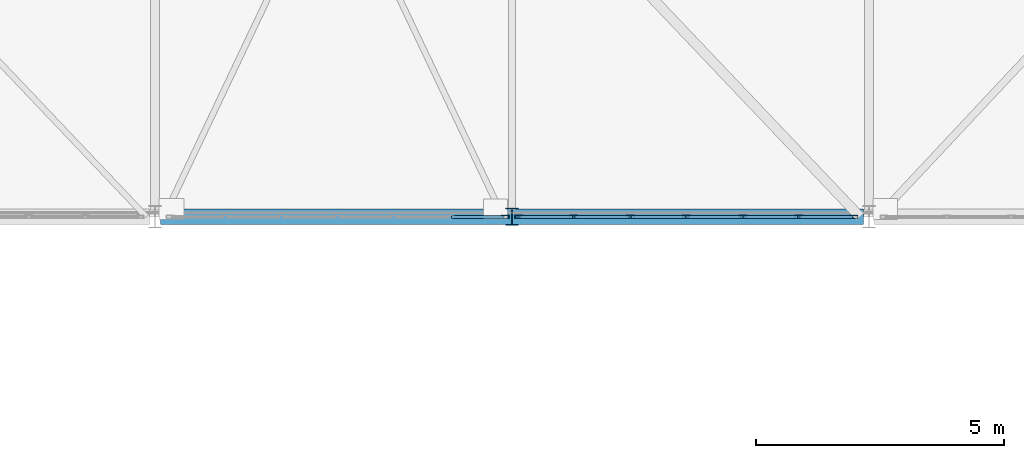
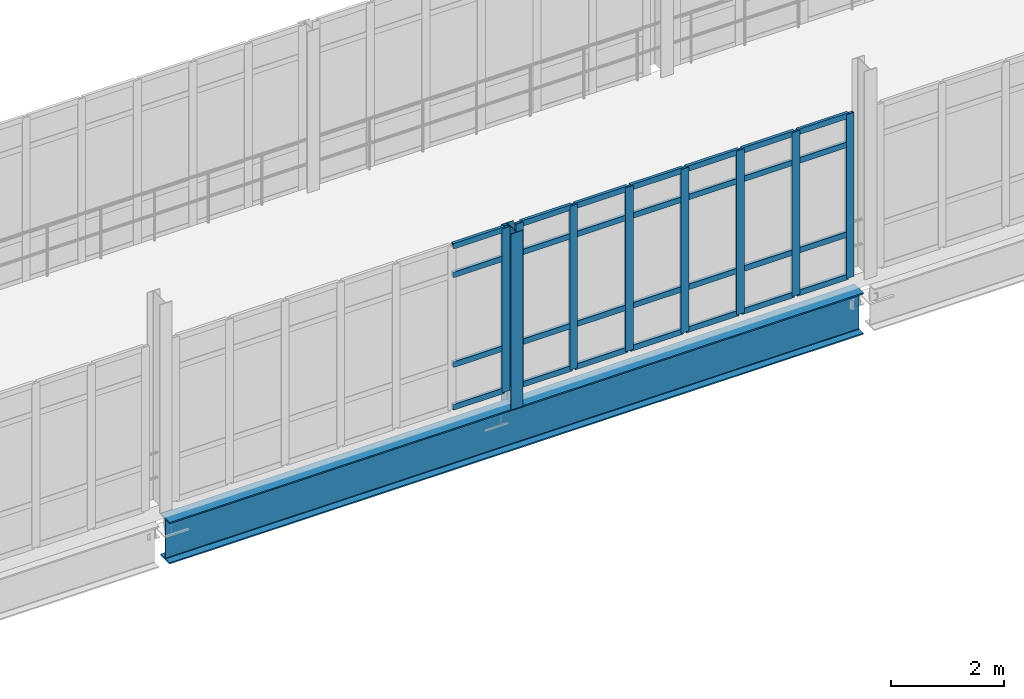
# One storey, part 42 of 124: 37 members, 1 beam, 2 elements without a shape of their own.
"""IFC4 building model written with IfcOpenShell, lengths in metres."""

import ifcopenshell
import ifcopenshell.guid

model = None  # the IFC model being written
_history = None  # IfcOwnerHistory: only IFC2X3 demands one
_inside = {}  # id of a spatial element -> (the spatial element, [elements in it])
_under = {}  # id of a project, library or spatial element -> (it, [spatial elements below it])
_declared = {}  # id of a project -> (the project, [libraries it declares])
_typed = {}  # id of a type object -> (the type object, [elements of that type])
_made_of = {}  # id of a material, layer set ... -> (it, [elements and type objects made of it])


def new_model(schema):
    """Start an empty IFC model of exactly this schema.

    Asked for "IFC4X3", IfcOpenShell would pick the latest addendum, in which some entities
    have other attributes; the version numbers below select the first issue.
    IFC2X3 requires an IfcOwnerHistory on every rooted entity: one is made here for all.
    """
    global model, _history
    if schema == "IFC4X3":
        model = ifcopenshell.file(schema_version=(4, 3, 0, 0))
    else:
        model = ifcopenshell.file(schema=schema)
    _inside.clear()
    _under.clear()
    _declared.clear()
    _typed.clear()
    _made_of.clear()
    _history = None
    if model.schema == "IFC2X3":
        org = make("IfcOrganization", Name="unknown")
        user = make(
            "IfcPersonAndOrganization",
            ThePerson=make("IfcPerson", FamilyName="unknown"),
            TheOrganization=org,
        )
        app = make(
            "IfcApplication",
            ApplicationDeveloper=org,
            Version="unknown",
            ApplicationFullName="unknown",
            ApplicationIdentifier="unknown",
        )
        _history = make(
            "IfcOwnerHistory",
            OwningUser=user,
            OwningApplication=app,
            ChangeAction="ADDED",
            CreationDate=0,
        )
    return model


def make(cls, **values):
    """One entity of the class cls with the attributes given. An attribute that is None is left unset."""
    return model.create_entity(
        cls, **{name: value for name, value in values.items() if value is not None}
    )


def rooted(cls, **values):
    """An entity with a GlobalId (a new one), such as an element, a storey or a relation."""
    return make(cls, GlobalId=ifcopenshell.guid.new(), OwnerHistory=_history, **values)


def si_unit(unit_type, name, prefix=None):
    """IfcSIUnit, for example si_unit("LENGTHUNIT", "METRE", prefix="MILLI")."""
    return make("IfcSIUnit", UnitType=unit_type, Prefix=prefix, Name=name)


def assignment(units):
    """IfcUnitAssignment: the units of a project."""
    return None if units is None else make("IfcUnitAssignment", Units=units)


def point(xyz):
    """IfcCartesianPoint."""
    return None if xyz is None else make("IfcCartesianPoint", Coordinates=xyz)


def direction(xyz):
    """IfcDirection."""
    return None if xyz is None else make("IfcDirection", DirectionRatios=xyz)


def frame(location, z_axis=None, x_axis=None):
    """IfcAxis2Placement3D, a coordinate frame: its origin and axes. An axis left out is left unset."""
    return make(
        "IfcAxis2Placement3D",
        Location=point(location),
        Axis=direction(z_axis),
        RefDirection=direction(x_axis),
    )


def frame_2d(location, x_axis=None):
    """IfcAxis2Placement2D, a coordinate frame in the plane: its origin and x axis."""
    return make(
        "IfcAxis2Placement2D", Location=point(location), RefDirection=direction(x_axis)
    )


def origin():
    """The frame at (0, 0, 0) with its axes left unset."""
    return frame((0.0, 0.0, 0.0))


def origin_2d():
    """The frame at (0, 0) in the plane with its x axis left unset."""
    return frame_2d((0.0, 0.0))


def place(relative_to, where):
    """IfcLocalPlacement: puts the frame where relative to a parent placement (None: the world)."""
    return make(
        "IfcLocalPlacement", PlacementRelTo=relative_to, RelativePlacement=where
    )


def context(
    kind, dimensions, precision=None, world=None, true_north=None, identifier=None
):
    """IfcGeometricRepresentationContext, for example the 3D "Model" context."""
    return make(
        "IfcGeometricRepresentationContext",
        ContextIdentifier=identifier,
        ContextType=kind,
        CoordinateSpaceDimension=dimensions,
        Precision=precision,
        WorldCoordinateSystem=world,
        TrueNorth=true_north,
    )


def subcontext(parent, identifier, kind, view, scale=None):
    """IfcGeometricRepresentationSubContext, for example "Body" below "Model"."""
    return make(
        "IfcGeometricRepresentationSubContext",
        ContextIdentifier=identifier,
        ContextType=kind,
        ParentContext=parent,
        TargetScale=scale,
        TargetView=view,
    )


def project(units=None, contexts=None):
    """IfcProject with its units and contexts."""
    return rooted(
        "IfcProject",
        Name="project",
        RepresentationContexts=contexts,
        UnitsInContext=assignment(units),
    )


def spatial(cls, under=None, at=None, **own):
    """A site, building, storey or space (cls), placed at a placement, below another one or the project."""
    s = rooted(cls, ObjectPlacement=at, **own)
    if under is not None:
        _under.setdefault(under.id(), (under, []))[1].append(s)
    return s


def profile(cls, at=None, kind="AREA", **sizes):
    """A parametric profile (cls). Its sizes go by their IFC names, for example OverallWidth=200.0."""
    return make(cls, ProfileType=kind, Position=at, **sizes)


def hollow_rectangle(**sizes):
    """IfcRectangleHollowProfileDef."""
    return profile("IfcRectangleHollowProfileDef", **sizes)


def i_section(**sizes):
    """IfcIShapeProfileDef."""
    return profile("IfcIShapeProfileDef", **sizes)


def extrude(swept, where, along, depth):
    """IfcExtrudedAreaSolid: the profile swept, set in the frame where, extruded along a direction by depth."""
    return make(
        "IfcExtrudedAreaSolid",
        SweptArea=swept,
        Position=where,
        ExtrudedDirection=direction(along),
        Depth=depth,
    )


def shape(context_of_items, identifier, shape_type, items):
    """IfcShapeRepresentation: the items that make up one representation, for example the "Body"."""
    return make(
        "IfcShapeRepresentation",
        ContextOfItems=context_of_items,
        RepresentationIdentifier=identifier,
        RepresentationType=shape_type,
        Items=items,
    )


def material(Name=None, Category=None):
    """IfcMaterial."""
    return make("IfcMaterial", Name=Name, Category=Category)


def material_profile(
    of_material, cross_section, Name=None, Category=None, Priority=None
):
    """IfcMaterialProfile: a cross section and its material."""
    return make(
        "IfcMaterialProfile",
        Name=Name,
        Material=of_material,
        Profile=cross_section,
        Priority=Priority,
        Category=Category,
    )


def profile_set(profiles, Name=None, composite=None):
    """IfcMaterialProfileSet."""
    return make(
        "IfcMaterialProfileSet",
        Name=Name,
        MaterialProfiles=profiles,
        CompositeProfile=composite,
    )


def made_of(thing, what):
    """Note that an element or type object is made of a material, layer set ...; save() writes the relation."""
    if what is not None:
        _made_of.setdefault(what.id(), (what, []))[1].append(thing)
    return thing


def type_object(cls, material=None, **own):
    """A type object (cls), such as IfcWallType, which elements share."""
    return made_of(rooted(cls, **own), material)


def element(
    cls,
    number,
    at=None,
    inside=None,
    cuts=None,
    type_object=None,
    material=None,
    context=None,
    identifier="Body",
    shape_type=None,
    held_by="IfcProductDefinitionShape",
    body=None,
    shapes=None,
    **own,
):
    """One element of the class cls, such as IfcWall. Its Tag is "e" and its number.

    at: its placement. inside: the storey or other place that contains it. cuts: it is an
    opening in that element (IfcRelVoidsElement). A single representation is given by context,
    identifier, shape_type and body (its items); several are given by shapes. held_by: the class
    of the entity that holds the representations. save() writes the other relations.
    """
    e = rooted(cls, Tag="e%d" % number, ObjectPlacement=at, **own)
    if body is not None:
        shapes = [shape(context, identifier, shape_type, body)]
    if shapes is not None:
        e.Representation = make(held_by, Representations=shapes)
    if inside is not None:
        _inside.setdefault(inside.id(), (inside, []))[1].append(e)
    if cuts is not None:
        rooted(
            "IfcRelVoidsElement", RelatingBuildingElement=cuts, RelatedOpeningElement=e
        )
    if type_object is not None:
        _typed.setdefault(type_object.id(), (type_object, []))[1].append(e)
    return made_of(e, material)


def aggregate(whole, parts):
    """IfcRelAggregates: a whole, such as a stair, and the parts it consists of."""
    return rooted("IfcRelAggregates", RelatingObject=whole, RelatedObjects=parts)


def save(model, path):
    """Write the relations noted so far, then the file.

    IfcRelAggregates (storeys below a building ...), IfcRelContainedInSpatialStructure (elements
    in a storey), IfcRelDefinesByType, IfcRelAssociatesMaterial and IfcRelDeclares: one each for
    every whole, place, type object, material and project.
    """
    for whole, parts in _under.values():
        aggregate(whole, parts)
    for where, things in _inside.values():
        rooted(
            "IfcRelContainedInSpatialStructure",
            RelatedElements=things,
            RelatingStructure=where,
        )
    for kind, things in _typed.values():
        rooted("IfcRelDefinesByType", RelatedObjects=things, RelatingType=kind)
    for what, things in _made_of.values():
        rooted("IfcRelAssociatesMaterial", RelatedObjects=things, RelatingMaterial=what)
    for by, libraries in _declared.values():
        rooted("IfcRelDeclares", RelatingContext=by, RelatedDefinitions=libraries)
    model.write(path)


model = new_model("IFC4")

# Units and contexts
model_context = context("Model", 3, precision=1e-05, world=origin(), true_north=direction((0.0, 1.0)))
body_context = subcontext(model_context, "Body", "Model", "MODEL_VIEW")
ifc_project = project(units=[si_unit("LENGTHUNIT", "METRE"), si_unit("AREAUNIT", "SQUARE_METRE"), si_unit("VOLUMEUNIT", "CUBIC_METRE"), si_unit("PLANEANGLEUNIT", "RADIAN"), si_unit("MASSUNIT", "GRAM", prefix="KILO")], contexts=[model_context])

# Site, building, storey
site_placement = place(None, origin())
site = spatial("IfcSite", under=ifc_project, at=site_placement, CompositionType="ELEMENT")
building_placement = place(site_placement, origin())
building = spatial("IfcBuilding", under=site, at=building_placement, Name="Kalluvel Institute of Natural Sciences", CompositionType="ELEMENT")
storey_placement = place(building_placement, frame((0.0, 0.0, 9.89990234375)))
storey = spatial("IfcBuildingStorey", under=building, at=storey_placement, Name="L02", CompositionType="ELEMENT", Elevation=9.89990234375)

# Beam
ifc_material_1 = material(Name="Steel E350 Grade 350", Category="steel")
ifc_material_profile_1 = material_profile(ifc_material_1, i_section(OverallWidth=0.320068359375, OverallDepth=0.89990234375, WebThickness=0.01611328125, FlangeThickness=0.028076171875, FilletRadius=0.01806640625, at=origin_2d()), Name="WPG 900x320")
ifc_profile_set_1 = profile_set([ifc_material_profile_1], Name="Steel E350 Grade 350")
beam_type = type_object("IfcBeamType", Name="BM-WPG900", PredefinedType="BEAM", material=ifc_profile_set_1)
beam_placement = place(storey_placement, frame((78.909912109375, 28.39990234375, -0.77001953125), z_axis=(1.0, 0.0, 0.0), x_axis=(0.0, 1.0, 0.0)))
element("IfcBeam", 1, at=beam_placement, inside=storey, type_object=beam_type, Name="L02 link bridge main plate-girder chord 4", PredefinedType="BEAM", context=body_context, shape_type="SweptSolid", body=[
    extrude(i_section(OverallWidth=0.320068359375, OverallDepth=0.89990234375, WebThickness=0.01611328125, FlangeThickness=0.028076171875, FilletRadius=0.01806640625, at=origin_2d()), origin(), (0.0, 0.0, 1.0), 14.18017578125),
])

# Curtain wall, member
ifc_material_2 = material(Name="Aluminium AW-6063 T6", Category="aluminium")
curtain_wall_type = type_object("IfcCurtainWallType", Name="CW-BRG-45", PredefinedType="USERDEFINED", material=ifc_material_2)
curtain_wall_1_placement = place(storey_placement, origin())
curtain_wall_1 = element("IfcCurtainWall", 2, at=curtain_wall_1_placement, inside=storey, type_object=curtain_wall_type, Name="L02 Gothic lancet curtain wall CWA-L02-X791-Y284", ObjectType="UNITISED LANCET FACADE", PredefinedType="USERDEFINED")
ifc_material_profile_2 = material_profile(ifc_material_2, hollow_rectangle(XDim=0.06005859375, YDim=0.159912109375, WallThickness=0.00390625, at=origin_2d()), Name="CWM 60x160")
ifc_profile_set_2 = profile_set([ifc_material_profile_2], Name="Aluminium AW-6063 T6")
member_type_1 = type_object("IfcMemberType", Name="CWM-60x160", PredefinedType="MULLION", material=ifc_profile_set_2)
member_1_placement = place(storey_placement, frame((85.860107421875, 28.39990234375, 0.0), z_axis=(0.0, 0.0, 1.0), x_axis=(0.0, 1.0, 0.0)))
member_1 = element("IfcMember", 3, at=member_1_placement, type_object=member_type_1, Name="CW-07 mullion 7", PredefinedType="MULLION", context=body_context, shape_type="SweptSolid", body=[
    extrude(hollow_rectangle(XDim=0.06005859375, YDim=0.159912109375, WallThickness=0.00390625, at=origin_2d()), origin(), (0.0, 0.0, 1.0), 3.5400390625),
])

# Curtain wall, members
curtain_wall_2_placement = place(storey_placement, origin())
curtain_wall_2 = element("IfcCurtainWall", 4, at=curtain_wall_2_placement, inside=storey, type_object=curtain_wall_type, Name="L02 Gothic lancet curtain wall CWA-L02-X861-Y284", ObjectType="UNITISED LANCET FACADE", PredefinedType="USERDEFINED")
member_2_placement = place(storey_placement, frame((86.139892578125, 28.39990234375, 0.0), z_axis=(0.0, 0.0, 1.0), x_axis=(0.0, 1.0, 0.0)))
member_2 = element("IfcMember", 5, at=member_2_placement, type_object=member_type_1, Name="CW-07 mullion 1", PredefinedType="MULLION", context=body_context, shape_type="SweptSolid", body=[
    extrude(hollow_rectangle(XDim=0.06005859375, YDim=0.159912109375, WallThickness=0.00390625, at=origin_2d()), origin(), (0.0, 0.0, 1.0), 3.5400390625),
])
member_3_placement = place(storey_placement, frame((87.245849609375, 28.39990234375, 0.0), z_axis=(0.0, 0.0, 1.0), x_axis=(0.0, 1.0, 0.0)))
member_3 = element("IfcMember", 6, at=member_3_placement, type_object=member_type_1, Name="CW-07 mullion 2", PredefinedType="MULLION", context=body_context, shape_type="SweptSolid", body=[
    extrude(hollow_rectangle(XDim=0.06005859375, YDim=0.159912109375, WallThickness=0.00390625, at=origin_2d()), origin(), (0.0, 0.0, 1.0), 3.5400390625),
])
member_4_placement = place(storey_placement, frame((88.381591796875, 28.39990234375, 0.0), z_axis=(0.0, 0.0, 1.0), x_axis=(0.0, 1.0, 0.0)))
member_4 = element("IfcMember", 7, at=member_4_placement, type_object=member_type_1, Name="CW-07 mullion 3", PredefinedType="MULLION", context=body_context, shape_type="SweptSolid", body=[
    extrude(hollow_rectangle(XDim=0.06005859375, YDim=0.159912109375, WallThickness=0.00390625, at=origin_2d()), origin(), (0.0, 0.0, 1.0), 3.5400390625),
])
member_5_placement = place(storey_placement, frame((89.517578125, 28.39990234375, 0.0), z_axis=(0.0, 0.0, 1.0), x_axis=(0.0, 1.0, 0.0)))
member_5 = element("IfcMember", 8, at=member_5_placement, type_object=member_type_1, Name="CW-07 mullion 4", PredefinedType="MULLION", context=body_context, shape_type="SweptSolid", body=[
    extrude(hollow_rectangle(XDim=0.06005859375, YDim=0.159912109375, WallThickness=0.00390625, at=origin_2d()), origin(), (0.0, 0.0, 1.0), 3.5400390625),
])
member_6_placement = place(storey_placement, frame((90.6533203125, 28.39990234375, 0.0), z_axis=(0.0, 0.0, 1.0), x_axis=(0.0, 1.0, 0.0)))
member_6 = element("IfcMember", 9, at=member_6_placement, type_object=member_type_1, Name="CW-07 mullion 5", PredefinedType="MULLION", context=body_context, shape_type="SweptSolid", body=[
    extrude(hollow_rectangle(XDim=0.06005859375, YDim=0.159912109375, WallThickness=0.00390625, at=origin_2d()), origin(), (0.0, 0.0, 1.0), 3.5400390625),
])
member_7_placement = place(storey_placement, frame((91.7890625, 28.39990234375, 0.0), z_axis=(0.0, 0.0, 1.0), x_axis=(0.0, 1.0, 0.0)))
member_7 = element("IfcMember", 10, at=member_7_placement, type_object=member_type_1, Name="CW-07 mullion 6", PredefinedType="MULLION", context=body_context, shape_type="SweptSolid", body=[
    extrude(hollow_rectangle(XDim=0.06005859375, YDim=0.159912109375, WallThickness=0.00390625, at=origin_2d()), origin(), (0.0, 0.0, 1.0), 3.5400390625),
])
member_8_placement = place(storey_placement, frame((92.89501953125, 28.39990234375, 0.0), z_axis=(0.0, 0.0, 1.0), x_axis=(0.0, 1.0, 0.0)))
member_8 = element("IfcMember", 11, at=member_8_placement, type_object=member_type_1, Name="CW-07 mullion 7", PredefinedType="MULLION", context=body_context, shape_type="SweptSolid", body=[
    extrude(hollow_rectangle(XDim=0.06005859375, YDim=0.159912109375, WallThickness=0.00390625, at=origin_2d()), origin(), (0.0, 0.0, 1.0), 3.5400390625),
])

# Member
ifc_material_profile_3 = material_profile(ifc_material_2, hollow_rectangle(XDim=0.06005859375, YDim=0.1201171875, WallThickness=0.00390625, at=origin_2d()), Name="CWT 60x120")
ifc_profile_set_3 = profile_set([ifc_material_profile_3], Name="Aluminium AW-6063 T6")
member_type_2 = type_object("IfcMemberType", Name="CWT-60x120", PredefinedType="USERDEFINED", material=ifc_profile_set_3)
member_9_placement = place(storey_placement, frame((84.7841796875, 28.39990234375, 0.030029296875), z_axis=(1.0, 0.0, 0.0), x_axis=(0.0, 1.0, 0.0)))
member_9 = element("IfcMember", 12, at=member_9_placement, type_object=member_type_2, Name="CW-07 transom 6.1", ObjectType="TRANSOM", PredefinedType="USERDEFINED", context=body_context, shape_type="SweptSolid", body=[
    extrude(hollow_rectangle(XDim=0.06005859375, YDim=0.1201171875, WallThickness=0.00390625, at=origin_2d()), origin(), (0.0, 0.0, 1.0), 1.0458984375),
])

member_10_placement = place(storey_placement, frame((84.7841796875, 28.39990234375, 0.9501953125), z_axis=(1.0, 0.0, 0.0), x_axis=(0.0, 1.0, 0.0)))
member_10 = element("IfcMember", 13, at=member_10_placement, type_object=member_type_2, Name="CW-07 transom 6.2", ObjectType="TRANSOM", PredefinedType="USERDEFINED", context=body_context, shape_type="SweptSolid", body=[
    extrude(hollow_rectangle(XDim=0.06005859375, YDim=0.1201171875, WallThickness=0.00390625, at=origin_2d()), origin(), (0.0, 0.0, 1.0), 1.0458984375),
])

member_11_placement = place(storey_placement, frame((84.7841796875, 28.39990234375, 2.89013671875), z_axis=(1.0, 0.0, 0.0), x_axis=(0.0, 1.0, 0.0)))
member_11 = element("IfcMember", 14, at=member_11_placement, type_object=member_type_2, Name="CW-07 transom 6.3", ObjectType="TRANSOM", PredefinedType="USERDEFINED", context=body_context, shape_type="SweptSolid", body=[
    extrude(hollow_rectangle(XDim=0.06005859375, YDim=0.1201171875, WallThickness=0.00390625, at=origin_2d()), origin(), (0.0, 0.0, 1.0), 1.0458984375),
])

member_12_placement = place(storey_placement, frame((84.7841796875, 28.39990234375, 3.510009765625), z_axis=(1.0, 0.0, 0.0), x_axis=(0.0, 1.0, 0.0)))
member_12 = element("IfcMember", 15, at=member_12_placement, type_object=member_type_2, Name="CW-07 transom 6.4", ObjectType="TRANSOM", PredefinedType="USERDEFINED", context=body_context, shape_type="SweptSolid", body=[
    extrude(hollow_rectangle(XDim=0.06005859375, YDim=0.1201171875, WallThickness=0.00390625, at=origin_2d()), origin(), (0.0, 0.0, 1.0), 1.0458984375),
])

aggregate(curtain_wall_1, [member_1, member_9, member_10, member_11, member_12])

member_13_placement = place(storey_placement, frame((86.169921875, 28.39990234375, 0.030029296875), z_axis=(1.0, 0.0, 0.0), x_axis=(0.0, 1.0, 0.0)))
member_13 = element("IfcMember", 16, at=member_13_placement, type_object=member_type_2, Name="CW-07 transom 1.1", ObjectType="TRANSOM", PredefinedType="USERDEFINED", context=body_context, shape_type="SweptSolid", body=[
    extrude(hollow_rectangle(XDim=0.06005859375, YDim=0.1201171875, WallThickness=0.00390625, at=origin_2d()), origin(), (0.0, 0.0, 1.0), 1.0458984375),
])

member_14_placement = place(storey_placement, frame((86.169921875, 28.39990234375, 0.9501953125), z_axis=(1.0, 0.0, 0.0), x_axis=(0.0, 1.0, 0.0)))
member_14 = element("IfcMember", 17, at=member_14_placement, type_object=member_type_2, Name="CW-07 transom 1.2", ObjectType="TRANSOM", PredefinedType="USERDEFINED", context=body_context, shape_type="SweptSolid", body=[
    extrude(hollow_rectangle(XDim=0.06005859375, YDim=0.1201171875, WallThickness=0.00390625, at=origin_2d()), origin(), (0.0, 0.0, 1.0), 1.0458984375),
])

member_15_placement = place(storey_placement, frame((86.169921875, 28.39990234375, 2.89013671875), z_axis=(1.0, 0.0, 0.0), x_axis=(0.0, 1.0, 0.0)))
member_15 = element("IfcMember", 18, at=member_15_placement, type_object=member_type_2, Name="CW-07 transom 1.3", ObjectType="TRANSOM", PredefinedType="USERDEFINED", context=body_context, shape_type="SweptSolid", body=[
    extrude(hollow_rectangle(XDim=0.06005859375, YDim=0.1201171875, WallThickness=0.00390625, at=origin_2d()), origin(), (0.0, 0.0, 1.0), 1.0458984375),
])

member_16_placement = place(storey_placement, frame((86.169921875, 28.39990234375, 3.510009765625), z_axis=(1.0, 0.0, 0.0), x_axis=(0.0, 1.0, 0.0)))
member_16 = element("IfcMember", 19, at=member_16_placement, type_object=member_type_2, Name="CW-07 transom 1.4", ObjectType="TRANSOM", PredefinedType="USERDEFINED", context=body_context, shape_type="SweptSolid", body=[
    extrude(hollow_rectangle(XDim=0.06005859375, YDim=0.1201171875, WallThickness=0.00390625, at=origin_2d()), origin(), (0.0, 0.0, 1.0), 1.0458984375),
])

member_17_placement = place(storey_placement, frame((87.27587890625, 28.39990234375, 0.030029296875), z_axis=(1.0, 0.0, 0.0), x_axis=(0.0, 1.0, 0.0)))
member_17 = element("IfcMember", 20, at=member_17_placement, type_object=member_type_2, Name="CW-07 transom 2.1", ObjectType="TRANSOM", PredefinedType="USERDEFINED", context=body_context, shape_type="SweptSolid", body=[
    extrude(hollow_rectangle(XDim=0.06005859375, YDim=0.1201171875, WallThickness=0.00390625, at=origin_2d()), origin(), (0.0, 0.0, 1.0), 1.07568359375),
])

member_18_placement = place(storey_placement, frame((87.27587890625, 28.39990234375, 0.9501953125), z_axis=(1.0, 0.0, 0.0), x_axis=(0.0, 1.0, 0.0)))
member_18 = element("IfcMember", 21, at=member_18_placement, type_object=member_type_2, Name="CW-07 transom 2.2", ObjectType="TRANSOM", PredefinedType="USERDEFINED", context=body_context, shape_type="SweptSolid", body=[
    extrude(hollow_rectangle(XDim=0.06005859375, YDim=0.1201171875, WallThickness=0.00390625, at=origin_2d()), origin(), (0.0, 0.0, 1.0), 1.07568359375),
])

member_19_placement = place(storey_placement, frame((87.27587890625, 28.39990234375, 2.89013671875), z_axis=(1.0, 0.0, 0.0), x_axis=(0.0, 1.0, 0.0)))
member_19 = element("IfcMember", 22, at=member_19_placement, type_object=member_type_2, Name="CW-07 transom 2.3", ObjectType="TRANSOM", PredefinedType="USERDEFINED", context=body_context, shape_type="SweptSolid", body=[
    extrude(hollow_rectangle(XDim=0.06005859375, YDim=0.1201171875, WallThickness=0.00390625, at=origin_2d()), origin(), (0.0, 0.0, 1.0), 1.07568359375),
])

member_20_placement = place(storey_placement, frame((87.27587890625, 28.39990234375, 3.510009765625), z_axis=(1.0, 0.0, 0.0), x_axis=(0.0, 1.0, 0.0)))
member_20 = element("IfcMember", 23, at=member_20_placement, type_object=member_type_2, Name="CW-07 transom 2.4", ObjectType="TRANSOM", PredefinedType="USERDEFINED", context=body_context, shape_type="SweptSolid", body=[
    extrude(hollow_rectangle(XDim=0.06005859375, YDim=0.1201171875, WallThickness=0.00390625, at=origin_2d()), origin(), (0.0, 0.0, 1.0), 1.07568359375),
])

member_21_placement = place(storey_placement, frame((88.41162109375, 28.39990234375, 0.030029296875), z_axis=(1.0, 0.0, 0.0), x_axis=(0.0, 1.0, 0.0)))
member_21 = element("IfcMember", 24, at=member_21_placement, type_object=member_type_2, Name="CW-07 transom 3.1", ObjectType="TRANSOM", PredefinedType="USERDEFINED", context=body_context, shape_type="SweptSolid", body=[
    extrude(hollow_rectangle(XDim=0.06005859375, YDim=0.1201171875, WallThickness=0.00390625, at=origin_2d()), origin(), (0.0, 0.0, 1.0), 1.075927734375),
])

member_22_placement = place(storey_placement, frame((88.41162109375, 28.39990234375, 0.9501953125), z_axis=(1.0, 0.0, 0.0), x_axis=(0.0, 1.0, 0.0)))
member_22 = element("IfcMember", 25, at=member_22_placement, type_object=member_type_2, Name="CW-07 transom 3.2", ObjectType="TRANSOM", PredefinedType="USERDEFINED", context=body_context, shape_type="SweptSolid", body=[
    extrude(hollow_rectangle(XDim=0.06005859375, YDim=0.1201171875, WallThickness=0.00390625, at=origin_2d()), origin(), (0.0, 0.0, 1.0), 1.075927734375),
])

member_23_placement = place(storey_placement, frame((88.41162109375, 28.39990234375, 2.89013671875), z_axis=(1.0, 0.0, 0.0), x_axis=(0.0, 1.0, 0.0)))
member_23 = element("IfcMember", 26, at=member_23_placement, type_object=member_type_2, Name="CW-07 transom 3.3", ObjectType="TRANSOM", PredefinedType="USERDEFINED", context=body_context, shape_type="SweptSolid", body=[
    extrude(hollow_rectangle(XDim=0.06005859375, YDim=0.1201171875, WallThickness=0.00390625, at=origin_2d()), origin(), (0.0, 0.0, 1.0), 1.075927734375),
])

member_24_placement = place(storey_placement, frame((88.41162109375, 28.39990234375, 3.510009765625), z_axis=(1.0, 0.0, 0.0), x_axis=(0.0, 1.0, 0.0)))
member_24 = element("IfcMember", 27, at=member_24_placement, type_object=member_type_2, Name="CW-07 transom 3.4", ObjectType="TRANSOM", PredefinedType="USERDEFINED", context=body_context, shape_type="SweptSolid", body=[
    extrude(hollow_rectangle(XDim=0.06005859375, YDim=0.1201171875, WallThickness=0.00390625, at=origin_2d()), origin(), (0.0, 0.0, 1.0), 1.075927734375),
])

member_25_placement = place(storey_placement, frame((89.547607421875, 28.39990234375, 0.030029296875), z_axis=(1.0, 0.0, 0.0), x_axis=(0.0, 1.0, 0.0)))
member_25 = element("IfcMember", 28, at=member_25_placement, type_object=member_type_2, Name="CW-07 transom 4.1", ObjectType="TRANSOM", PredefinedType="USERDEFINED", context=body_context, shape_type="SweptSolid", body=[
    extrude(hollow_rectangle(XDim=0.06005859375, YDim=0.1201171875, WallThickness=0.00390625, at=origin_2d()), origin(), (0.0, 0.0, 1.0), 1.07568359375),
])

member_26_placement = place(storey_placement, frame((89.547607421875, 28.39990234375, 0.9501953125), z_axis=(1.0, 0.0, 0.0), x_axis=(0.0, 1.0, 0.0)))
member_26 = element("IfcMember", 29, at=member_26_placement, type_object=member_type_2, Name="CW-07 transom 4.2", ObjectType="TRANSOM", PredefinedType="USERDEFINED", context=body_context, shape_type="SweptSolid", body=[
    extrude(hollow_rectangle(XDim=0.06005859375, YDim=0.1201171875, WallThickness=0.00390625, at=origin_2d()), origin(), (0.0, 0.0, 1.0), 1.07568359375),
])

member_27_placement = place(storey_placement, frame((89.547607421875, 28.39990234375, 2.89013671875), z_axis=(1.0, 0.0, 0.0), x_axis=(0.0, 1.0, 0.0)))
member_27 = element("IfcMember", 30, at=member_27_placement, type_object=member_type_2, Name="CW-07 transom 4.3", ObjectType="TRANSOM", PredefinedType="USERDEFINED", context=body_context, shape_type="SweptSolid", body=[
    extrude(hollow_rectangle(XDim=0.06005859375, YDim=0.1201171875, WallThickness=0.00390625, at=origin_2d()), origin(), (0.0, 0.0, 1.0), 1.07568359375),
])

member_28_placement = place(storey_placement, frame((89.547607421875, 28.39990234375, 3.510009765625), z_axis=(1.0, 0.0, 0.0), x_axis=(0.0, 1.0, 0.0)))
member_28 = element("IfcMember", 31, at=member_28_placement, type_object=member_type_2, Name="CW-07 transom 4.4", ObjectType="TRANSOM", PredefinedType="USERDEFINED", context=body_context, shape_type="SweptSolid", body=[
    extrude(hollow_rectangle(XDim=0.06005859375, YDim=0.1201171875, WallThickness=0.00390625, at=origin_2d()), origin(), (0.0, 0.0, 1.0), 1.07568359375),
])

member_29_placement = place(storey_placement, frame((90.683349609375, 28.39990234375, 0.030029296875), z_axis=(1.0, 0.0, 0.0), x_axis=(0.0, 1.0, 0.0)))
member_29 = element("IfcMember", 32, at=member_29_placement, type_object=member_type_2, Name="CW-07 transom 5.1", ObjectType="TRANSOM", PredefinedType="USERDEFINED", context=body_context, shape_type="SweptSolid", body=[
    extrude(hollow_rectangle(XDim=0.06005859375, YDim=0.1201171875, WallThickness=0.00390625, at=origin_2d()), origin(), (0.0, 0.0, 1.0), 1.075927734375),
])

member_30_placement = place(storey_placement, frame((90.683349609375, 28.39990234375, 0.9501953125), z_axis=(1.0, 0.0, 0.0), x_axis=(0.0, 1.0, 0.0)))
member_30 = element("IfcMember", 33, at=member_30_placement, type_object=member_type_2, Name="CW-07 transom 5.2", ObjectType="TRANSOM", PredefinedType="USERDEFINED", context=body_context, shape_type="SweptSolid", body=[
    extrude(hollow_rectangle(XDim=0.06005859375, YDim=0.1201171875, WallThickness=0.00390625, at=origin_2d()), origin(), (0.0, 0.0, 1.0), 1.075927734375),
])

member_31_placement = place(storey_placement, frame((90.683349609375, 28.39990234375, 2.89013671875), z_axis=(1.0, 0.0, 0.0), x_axis=(0.0, 1.0, 0.0)))
member_31 = element("IfcMember", 34, at=member_31_placement, type_object=member_type_2, Name="CW-07 transom 5.3", ObjectType="TRANSOM", PredefinedType="USERDEFINED", context=body_context, shape_type="SweptSolid", body=[
    extrude(hollow_rectangle(XDim=0.06005859375, YDim=0.1201171875, WallThickness=0.00390625, at=origin_2d()), origin(), (0.0, 0.0, 1.0), 1.075927734375),
])

member_32_placement = place(storey_placement, frame((90.683349609375, 28.39990234375, 3.510009765625), z_axis=(1.0, 0.0, 0.0), x_axis=(0.0, 1.0, 0.0)))
member_32 = element("IfcMember", 35, at=member_32_placement, type_object=member_type_2, Name="CW-07 transom 5.4", ObjectType="TRANSOM", PredefinedType="USERDEFINED", context=body_context, shape_type="SweptSolid", body=[
    extrude(hollow_rectangle(XDim=0.06005859375, YDim=0.1201171875, WallThickness=0.00390625, at=origin_2d()), origin(), (0.0, 0.0, 1.0), 1.075927734375),
])

member_33_placement = place(storey_placement, frame((91.819091796875, 28.39990234375, 0.030029296875), z_axis=(1.0, 0.0, 0.0), x_axis=(0.0, 1.0, 0.0)))
member_33 = element("IfcMember", 36, at=member_33_placement, type_object=member_type_2, Name="CW-07 transom 6.1", ObjectType="TRANSOM", PredefinedType="USERDEFINED", context=body_context, shape_type="SweptSolid", body=[
    extrude(hollow_rectangle(XDim=0.06005859375, YDim=0.1201171875, WallThickness=0.00390625, at=origin_2d()), origin(), (0.0, 0.0, 1.0), 1.0458984375),
])

member_34_placement = place(storey_placement, frame((91.819091796875, 28.39990234375, 0.9501953125), z_axis=(1.0, 0.0, 0.0), x_axis=(0.0, 1.0, 0.0)))
member_34 = element("IfcMember", 37, at=member_34_placement, type_object=member_type_2, Name="CW-07 transom 6.2", ObjectType="TRANSOM", PredefinedType="USERDEFINED", context=body_context, shape_type="SweptSolid", body=[
    extrude(hollow_rectangle(XDim=0.06005859375, YDim=0.1201171875, WallThickness=0.00390625, at=origin_2d()), origin(), (0.0, 0.0, 1.0), 1.0458984375),
])

member_35_placement = place(storey_placement, frame((91.819091796875, 28.39990234375, 2.89013671875), z_axis=(1.0, 0.0, 0.0), x_axis=(0.0, 1.0, 0.0)))
member_35 = element("IfcMember", 38, at=member_35_placement, type_object=member_type_2, Name="CW-07 transom 6.3", ObjectType="TRANSOM", PredefinedType="USERDEFINED", context=body_context, shape_type="SweptSolid", body=[
    extrude(hollow_rectangle(XDim=0.06005859375, YDim=0.1201171875, WallThickness=0.00390625, at=origin_2d()), origin(), (0.0, 0.0, 1.0), 1.0458984375),
])

member_36_placement = place(storey_placement, frame((91.819091796875, 28.39990234375, 3.510009765625), z_axis=(1.0, 0.0, 0.0), x_axis=(0.0, 1.0, 0.0)))
member_36 = element("IfcMember", 39, at=member_36_placement, type_object=member_type_2, Name="CW-07 transom 6.4", ObjectType="TRANSOM", PredefinedType="USERDEFINED", context=body_context, shape_type="SweptSolid", body=[
    extrude(hollow_rectangle(XDim=0.06005859375, YDim=0.1201171875, WallThickness=0.00390625, at=origin_2d()), origin(), (0.0, 0.0, 1.0), 1.0458984375),
])

aggregate(curtain_wall_2, [member_2, member_3, member_4, member_5, member_6, member_7, member_8, member_13, member_14, member_15, member_16, member_17, member_18, member_19, member_20, member_21, member_22, member_23, member_24, member_25, member_26, member_27, member_28, member_29, member_30, member_31, member_32, member_33, member_34, member_35, member_36])

ifc_material_profile_4 = material_profile(ifc_material_1, i_section(OverallWidth=0.25, OverallDepth=0.35009765625, WebThickness=0.010009765625, FlangeThickness=0.01171875, FilletRadius=0.011962890625, at=origin_2d()), Name="ISHB 350")
ifc_profile_set_4 = profile_set([ifc_material_profile_4], Name="Steel E350 Grade 350")
member_type_3 = type_object("IfcMemberType", Name="MB-ST-ISHB350", PredefinedType="STRUT", material=ifc_profile_set_4)
member_37_placement = place(storey_placement, frame((86.0, 28.39990234375, -0.31982421875), z_axis=(0.0, 0.0, 1.0), x_axis=(1.0, 0.0, 0.0)))
element("IfcMember", 40, at=member_37_placement, inside=storey, type_object=member_type_3, Name="Glazed link bridge truss post 19", PredefinedType="STRUT", context=body_context, shape_type="SweptSolid", body=[
    extrude(i_section(OverallWidth=0.25, OverallDepth=0.35009765625, WebThickness=0.010009765625, FlangeThickness=0.01171875, FilletRadius=0.011962890625, at=origin_2d()), origin(), (0.0, 0.0, 1.0), 3.7998046875),
])

save(model, "model.ifc")
